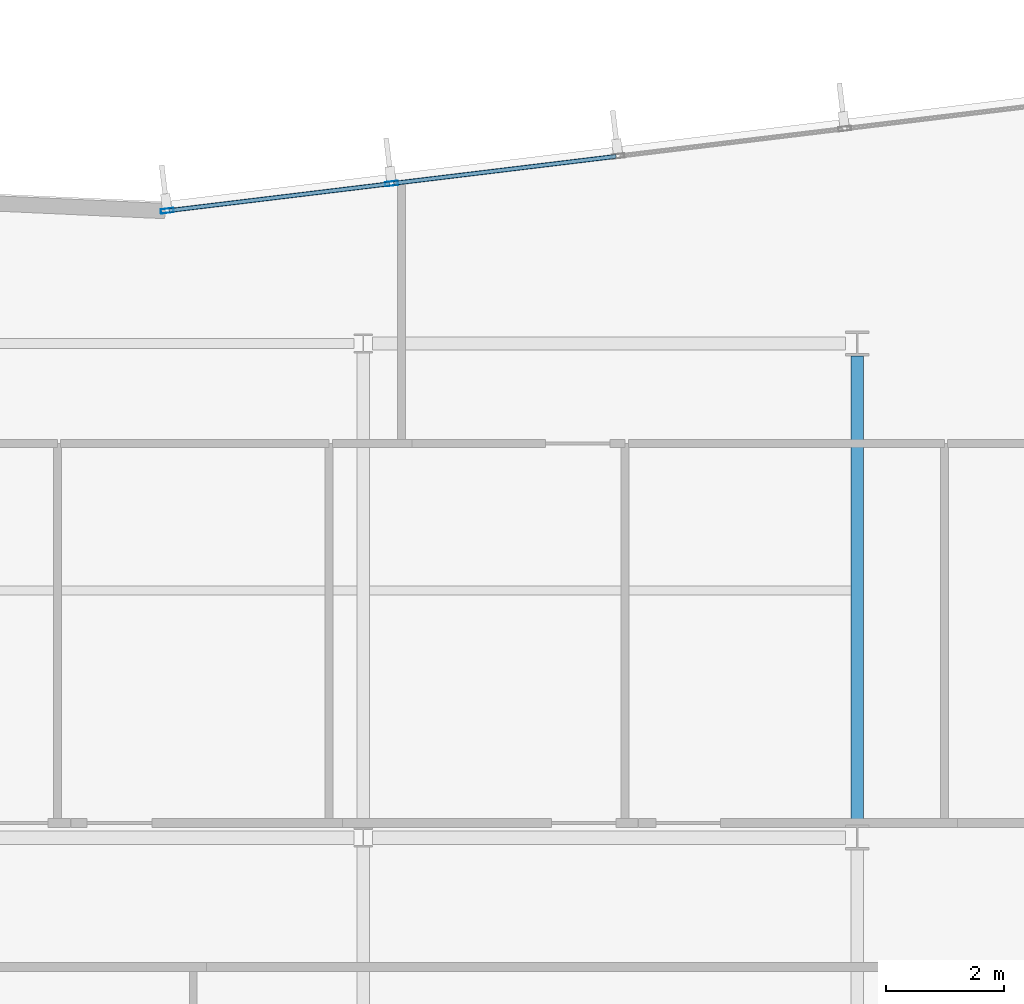
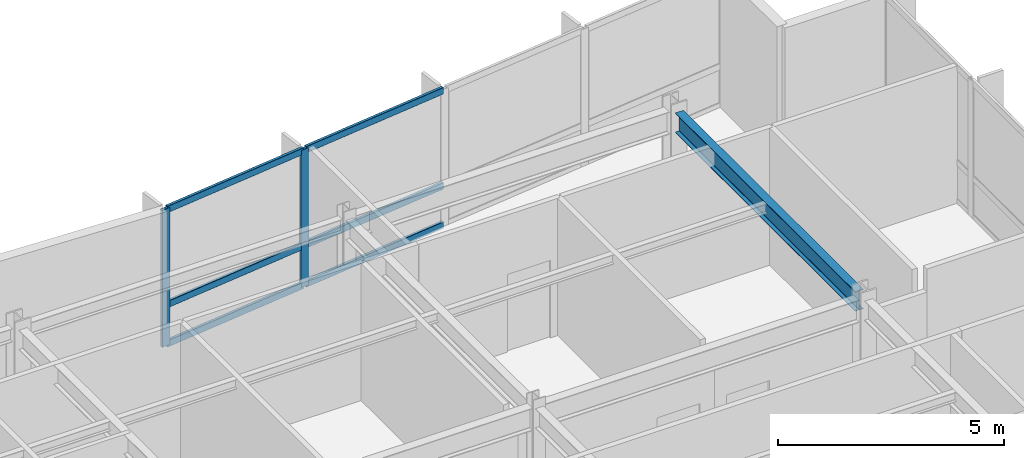
# One storey, part 7 of 18: 8 members, 1 beam, 1 element without a shape of its own.
"""IFC4 building model written with IfcOpenShell, lengths in metres."""

from ifc_helpers import new_model, si_unit, direction, frame, origin, origin_2d, place, context, subcontext, project, spatial, hollow_rectangle, i_section, extrude, material, layer, layer_set, material_profile, profile_set, type_object, element, aggregate, save


model = new_model("IFC4")

# Units and contexts
model_context = context("Model", 3, precision=1e-05, world=origin(), true_north=direction((0.0, 1.0)))
body_context = subcontext(model_context, "Body", "Model", "MODEL_VIEW")
ifc_project = project(units=[si_unit("LENGTHUNIT", "METRE"), si_unit("AREAUNIT", "SQUARE_METRE"), si_unit("VOLUMEUNIT", "CUBIC_METRE"), si_unit("PLANEANGLEUNIT", "RADIAN"), si_unit("MASSUNIT", "GRAM", prefix="KILO")], contexts=[model_context])

# Site, building, storey
site_placement = place(None, origin())
site = spatial("IfcSite", under=ifc_project, at=site_placement, CompositionType="ELEMENT")
building_placement = place(site_placement, origin())
building = spatial("IfcBuilding", under=site, at=building_placement, Name="Varnakote Quay Hospital", CompositionType="ELEMENT")
storey_placement = place(building_placement, frame((0.0, 0.0, 119.14990234375)))
storey = spatial("IfcBuildingStorey", under=building, at=storey_placement, Name="L29", CompositionType="ELEMENT", Elevation=119.14990234375)

# Beam
ifc_material_1 = material(Name="Structural steel AS/NZS 3679.1 Grade 350 L0 (fy 340 MPa)", Category="steel")
ifc_material_profile_1 = material_profile(ifc_material_1, i_section(OverallWidth=0.208984375, OverallDepth=0.532958984375, WebThickness=0.01025390625, FlangeThickness=0.015625, FilletRadius=0.013916015625, at=origin_2d()), Name="530UB92.4")
ifc_profile_set_1 = profile_set([ifc_material_profile_1], Name="Structural steel AS/NZS 3679.1 Grade 350 L0 (fy 340 MPa)")
beam_type = type_object("IfcBeamType", Name="BM-STL-530UB92-4", PredefinedType="BEAM", material=ifc_profile_set_1)
beam_placement = place(storey_placement, frame((50.39990234375, 20.610107421875, 3.443603515625), z_axis=(0.0, 1.0, 0.0), x_axis=(-1.0, 0.0, 0.0)))
element("IfcBeam", 1, at=beam_placement, inside=storey, type_object=beam_type, Name="L29 Primary Tie Beam", PredefinedType="BEAM", context=body_context, shape_type="SweptSolid", body=[
    extrude(i_section(OverallWidth=0.208984375, OverallDepth=0.532958984375, WebThickness=0.01025390625, FlangeThickness=0.015625, FilletRadius=0.013916015625, at=origin_2d()), origin(), (0.0, 0.0, 1.0), 7.97998046875),
])

# Curtain wall, members
ifc_material_2 = material(Name="Anodised aluminium 6063-T6 Bronze", Category="aluminium")
ifc_layer = layer(ifc_material_2, 0.205078125)
ifc_layer_set = layer_set([ifc_layer], Name="Anodised aluminium 6063-T6 Bronze")
curtain_wall_type = type_object("IfcCurtainWallType", Name="CW-SYS-3", PredefinedType="NOTDEFINED", material=ifc_layer_set)
curtain_wall_placement = place(storey_placement, origin())
curtain_wall = element("IfcCurtainWall", 2, at=curtain_wall_placement, inside=storey, type_object=curtain_wall_type, Name="L29 Unitised Bronze Curtain Wall 2", PredefinedType="NOTDEFINED")
ifc_material_3 = material(Name="Anodised aluminium 6063-T6 Bronze", Category="aluminium")
ifc_material_profile_2 = material_profile(ifc_material_3, hollow_rectangle(XDim=0.074951171875, YDim=0.219970703125, WallThickness=0.00439453125, InnerFilletRadius=0.00439453125, OuterFilletRadius=0.009033203125, at=origin_2d()), Name="CW-MULL-220x75")
ifc_profile_set_2 = profile_set([ifc_material_profile_2], Name="Anodised aluminium 6063-T6 Bronze")
member_type_1 = type_object("IfcMemberType", Name="CW-MULL-220x75", PredefinedType="MULLION", material=ifc_profile_set_2)
member_1_placement = place(storey_placement, frame((42.482666015625, 31.5185546875, 0.0), z_axis=(0.0, 0.0, 1.0), x_axis=(0.12032713492, -0.992734295067, 0.0)))
member_1 = element("IfcMember", 3, at=member_1_placement, type_object=member_type_1, Name="-3-L29-2 mullion 4", PredefinedType="MULLION", context=body_context, shape_type="SweptSolid", body=[
    extrude(hollow_rectangle(XDim=0.074951171875, YDim=0.219970703125, WallThickness=0.00439453125, InnerFilletRadius=0.00439453125, OuterFilletRadius=0.009033203125, at=origin_2d()), origin(), (0.0, 0.0, 1.0), 3.710205078125),
])
member_2_placement = place(storey_placement, frame((38.667236328125, 31.05615234375, 0.0), z_axis=(0.0, 0.0, 1.0), x_axis=(0.12032713492, -0.992734295067, 0.0)))
member_2 = element("IfcMember", 4, at=member_2_placement, type_object=member_type_1, Name="-3-L29-2 mullion 5", PredefinedType="MULLION", context=body_context, shape_type="SweptSolid", body=[
    extrude(hollow_rectangle(XDim=0.074951171875, YDim=0.219970703125, WallThickness=0.00439453125, InnerFilletRadius=0.00439453125, OuterFilletRadius=0.009033203125, at=origin_2d()), origin(), (0.0, 0.0, 1.0), 3.710205078125),
])
ifc_material_4 = material(Name="Anodised aluminium 6063-T6 Bronze", Category="aluminium")
ifc_material_profile_3 = material_profile(ifc_material_4, hollow_rectangle(XDim=0.074951171875, YDim=0.179931640625, WallThickness=0.004150390625, InnerFilletRadius=0.004150390625, OuterFilletRadius=0.00830078125, at=origin_2d()), Name="CW-TRAN-180x75")
ifc_profile_set_3 = profile_set([ifc_material_profile_3], Name="Anodised aluminium 6063-T6 Bronze")
member_type_2 = type_object("IfcMemberType", Name="CW-TRAN-180x75", PredefinedType="USERDEFINED", material=ifc_profile_set_3)
member_3_placement = place(storey_placement, frame((46.2978515625, 31.98095703125, 0.03759765625), z_axis=(-0.992731924158, -0.120346694005, 0.0), x_axis=(0.120346694005, -0.992731924158, 0.0)))
member_3 = element("IfcMember", 5, at=member_3_placement, type_object=member_type_2, Name="-3-L29-2 transom 3.1", ObjectType="TRANSOM", PredefinedType="USERDEFINED", context=body_context, shape_type="SweptSolid", body=[
    extrude(hollow_rectangle(XDim=0.074951171875, YDim=0.179931640625, WallThickness=0.004150390625, InnerFilletRadius=0.004150390625, OuterFilletRadius=0.00830078125, at=origin_2d()), origin(), (0.0, 0.0, 1.0), 3.8056640625),
])
member_4_placement = place(storey_placement, frame((46.2978515625, 31.98095703125, 1.10009765625), z_axis=(-0.992731924158, -0.120346694005, 0.0), x_axis=(0.120346694005, -0.992731924158, 0.0)))
member_4 = element("IfcMember", 6, at=member_4_placement, type_object=member_type_2, Name="-3-L29-2 transom 3.2", ObjectType="TRANSOM", PredefinedType="USERDEFINED", context=body_context, shape_type="SweptSolid", body=[
    extrude(hollow_rectangle(XDim=0.074951171875, YDim=0.179931640625, WallThickness=0.004150390625, InnerFilletRadius=0.004150390625, OuterFilletRadius=0.00830078125, at=origin_2d()), origin(), (0.0, 0.0, 1.0), 3.8056640625),
])
member_5_placement = place(storey_placement, frame((46.2978515625, 31.98095703125, 3.672607421875), z_axis=(-0.992731924158, -0.120346694005, 0.0), x_axis=(0.120346694005, -0.992731924158, 0.0)))
member_5 = element("IfcMember", 7, at=member_5_placement, type_object=member_type_2, Name="-3-L29-2 transom 3.3", ObjectType="TRANSOM", PredefinedType="USERDEFINED", context=body_context, shape_type="SweptSolid", body=[
    extrude(hollow_rectangle(XDim=0.074951171875, YDim=0.179931640625, WallThickness=0.004150390625, InnerFilletRadius=0.004150390625, OuterFilletRadius=0.00830078125, at=origin_2d()), origin(), (0.0, 0.0, 1.0), 3.8056640625),
])
member_6_placement = place(storey_placement, frame((42.4453125, 31.513916015625, 0.03759765625), z_axis=(-0.992735423717, -0.120317822859, 0.0), x_axis=(0.120317822859, -0.992735423717, 0.0)))
member_6 = element("IfcMember", 8, at=member_6_placement, type_object=member_type_2, Name="-3-L29-2 transom 4.1", ObjectType="TRANSOM", PredefinedType="USERDEFINED", context=body_context, shape_type="SweptSolid", body=[
    extrude(hollow_rectangle(XDim=0.074951171875, YDim=0.179931640625, WallThickness=0.004150390625, InnerFilletRadius=0.004150390625, OuterFilletRadius=0.00830078125, at=origin_2d()), origin(), (0.0, 0.0, 1.0), 3.76806640625),
])
member_7_placement = place(storey_placement, frame((42.4453125, 31.513916015625, 1.10009765625), z_axis=(-0.992735423717, -0.120317822859, 0.0), x_axis=(0.120317822859, -0.992735423717, 0.0)))
member_7 = element("IfcMember", 9, at=member_7_placement, type_object=member_type_2, Name="-3-L29-2 transom 4.2", ObjectType="TRANSOM", PredefinedType="USERDEFINED", context=body_context, shape_type="SweptSolid", body=[
    extrude(hollow_rectangle(XDim=0.074951171875, YDim=0.179931640625, WallThickness=0.004150390625, InnerFilletRadius=0.004150390625, OuterFilletRadius=0.00830078125, at=origin_2d()), origin(), (0.0, 0.0, 1.0), 3.76806640625),
])
member_8_placement = place(storey_placement, frame((42.4453125, 31.513916015625, 3.672607421875), z_axis=(-0.992735423717, -0.120317822859, 0.0), x_axis=(0.120317822859, -0.992735423717, 0.0)))
member_8 = element("IfcMember", 10, at=member_8_placement, type_object=member_type_2, Name="-3-L29-2 transom 4.3", ObjectType="TRANSOM", PredefinedType="USERDEFINED", context=body_context, shape_type="SweptSolid", body=[
    extrude(hollow_rectangle(XDim=0.074951171875, YDim=0.179931640625, WallThickness=0.004150390625, InnerFilletRadius=0.004150390625, OuterFilletRadius=0.00830078125, at=origin_2d()), origin(), (0.0, 0.0, 1.0), 3.76806640625),
])
aggregate(curtain_wall, [member_1, member_2, member_3, member_4, member_5, member_6, member_7, member_8])

save(model, "model.ifc")
